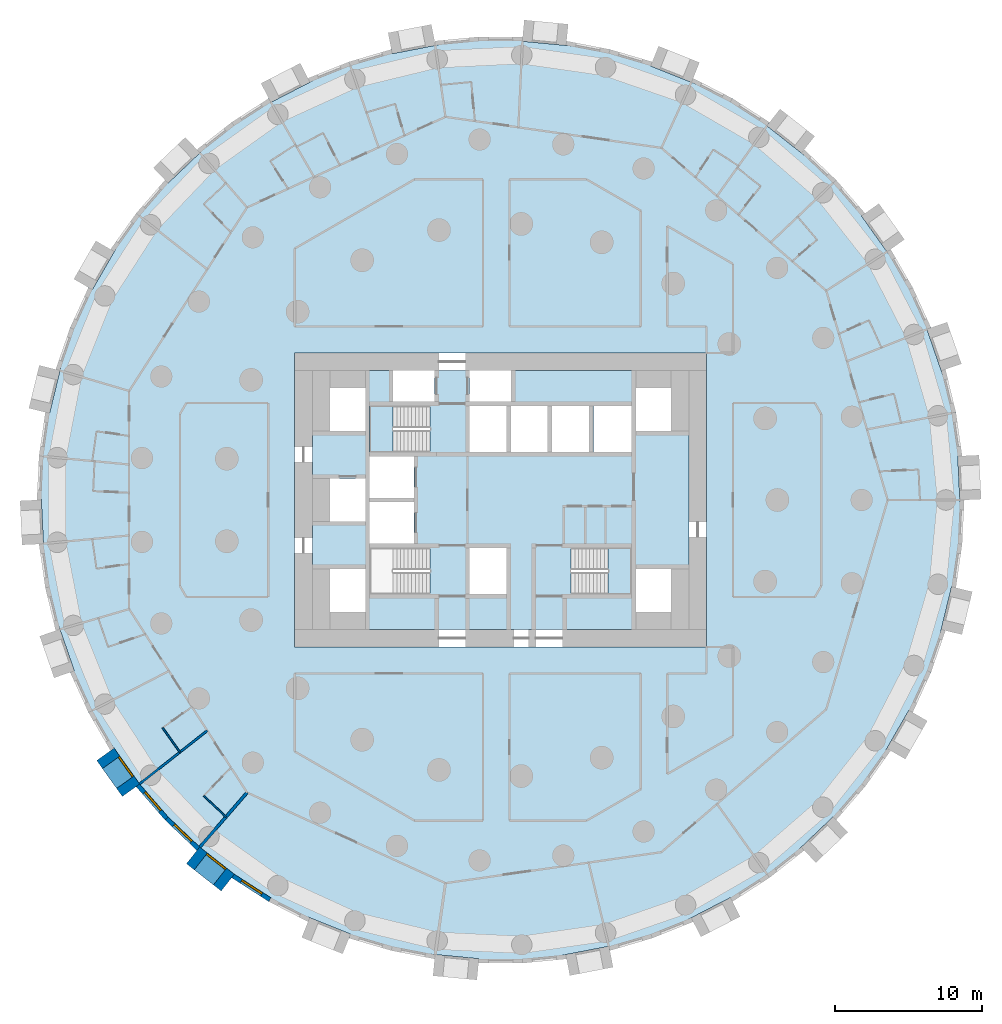
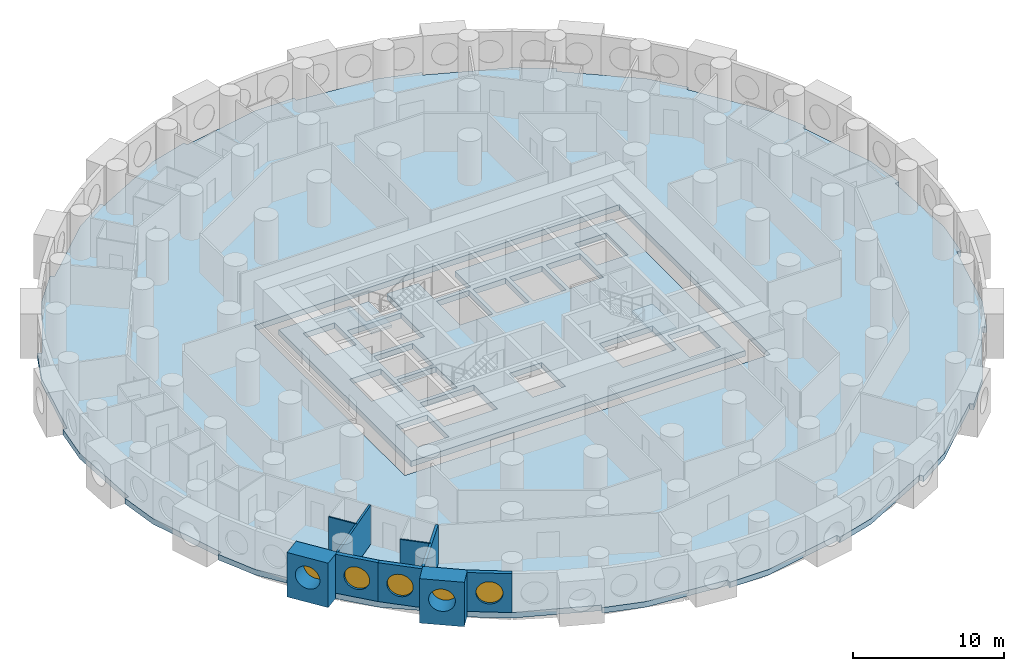
# One storey, part 2 of 12: 9 walls, 5 windows, 4 slabs, 5 openings, 2 elements without a shape of their own.
"""IFC4 building model written with IfcOpenShell, lengths in metres."""

from ifc_helpers import new_model, si_unit, direction, frame, frame_2d, origin, origin_2d, place, context, subcontext, project, spatial, polyline, rectangle, circle, outline, extrude, material, layer, layer_set, type_object, element, fill, aggregate, save


model = new_model("IFC4")

# Units and contexts
model_context = context("Model", 3, precision=1e-05, world=origin(), true_north=direction((0.0, 1.0)))
body_context = subcontext(model_context, "Body", "Model", "MODEL_VIEW")
ifc_project = project(units=[si_unit("LENGTHUNIT", "METRE"), si_unit("AREAUNIT", "SQUARE_METRE"), si_unit("VOLUMEUNIT", "CUBIC_METRE"), si_unit("PLANEANGLEUNIT", "RADIAN"), si_unit("MASSUNIT", "GRAM", prefix="KILO")], contexts=[model_context])

# Site, building, storey
site_placement = place(None, origin())
site = spatial("IfcSite", under=ifc_project, at=site_placement, CompositionType="ELEMENT")
building_placement = place(site_placement, origin())
building = spatial("IfcBuilding", under=site, at=building_placement, Name="Tracery Tower", CompositionType="ELEMENT")
storey_placement = place(building_placement, frame((0.0, 0.0, 31.800048828125)))
storey = spatial("IfcBuildingStorey", under=building, at=storey_placement, Name="L06", CompositionType="ELEMENT", Elevation=31.800048828125)

# Slabs
ifc_material_1 = material(Name="Concrete C60/75", Category="concrete")
ifc_layer_1 = layer(ifc_material_1, 0.449951171875)
ifc_layer_set_1 = layer_set([ifc_layer_1], Name="Core floor slab 450 C60")
slab_type_1 = type_object("IfcSlabType", Name="Core floor slab 450 C60", PredefinedType="FLOOR", material=ifc_layer_set_1)
slab_1_placement = place(storey_placement, frame((0.0, 0.0, -0.449951171875)))
element("IfcSlab", 1, at=slab_1_placement, inside=storey, type_object=slab_type_1, Name="L06 core floor 1", PredefinedType="FLOOR", context=body_context, shape_type="SweptSolid", body=[
    extrude(outline(polyline([(-12.800048828125, 8.800048828125), (-7.300048828125, 8.800048828125), (-7.300048828125, 6.699951171875), (-4.5, 6.699951171875), (-4.5, 8.800048828125), (-2.10009765625, 8.800048828125), (-2.10009765625, 6.699951171875), (0.699951171875, 6.699951171875), (0.699951171875, 8.800048828125), (12.800048828125, 8.800048828125), (12.800048828125, -8.800048828125), (-12.800048828125, -8.800048828125), (-12.800048828125, 8.800048828125)]), holes=[polyline([(11.60009765625, -7.60009765625), (11.60009765625, -4.699951171875), (9.199951171875, -4.699951171875), (9.199951171875, -7.60009765625), (11.60009765625, -7.60009765625)]), polyline([(11.60009765625, 4.699951171875), (11.60009765625, 7.60009765625), (9.199951171875, 7.60009765625), (9.199951171875, 4.699951171875), (11.60009765625, 4.699951171875)]), polyline([(4.800537109375, -3.25), (4.800537109375, -6.39990234375), (8.89990234375, -6.39990234375), (8.89990234375, -3.25), (4.800537109375, -3.25)]), polyline([(6.300048828125, 3.25), (8.89990234375, 3.25), (8.89990234375, 6.39990234375), (6.300048828125, 6.39990234375), (6.300048828125, 3.25)]), polyline([(3.5, 3.25), (6.0, 3.25), (6.0, 6.39990234375), (3.5, 6.39990234375), (3.5, 3.25)]), polyline([(3.199951171875, 3.25), (3.199951171875, 6.39990234375), (0.699951171875, 6.39990234375), (0.699951171875, 3.25), (3.199951171875, 3.25)]), polyline([(-2.10009765625, 3.25), (0.39990234375, 3.25), (0.39990234375, 6.39990234375), (-2.10009765625, 6.39990234375), (-2.10009765625, 3.25)]), polyline([(0.39990234375, -6.39990234375), (0.39990234375, -3.25), (-2.10009765625, -3.25), (-2.10009765625, -6.39990234375), (0.39990234375, -6.39990234375)]), polyline([(-4.800537109375, -3.25), (-8.89990234375, -3.25), (-8.89990234375, -6.39990234375), (-4.800537109375, -6.39990234375), (-4.800537109375, -3.25)]), polyline([(-4.800537109375, 6.39990234375), (-8.89990234375, 6.39990234375), (-8.89990234375, 3.25), (-4.800537109375, 3.25), (-4.800537109375, 6.39990234375)]), polyline([(-8.89990234375, -2.949951171875), (-5.89990234375, -2.949951171875), (-5.89990234375, -0.14990234375), (-8.89990234375, -0.14990234375), (-8.89990234375, -2.949951171875)]), polyline([(-5.89990234375, 0.14990234375), (-5.89990234375, 2.949951171875), (-8.89990234375, 2.949951171875), (-8.89990234375, 0.14990234375), (-5.89990234375, 0.14990234375)]), polyline([(-11.60009765625, 4.699951171875), (-9.199951171875, 4.699951171875), (-9.199951171875, 7.60009765625), (-11.60009765625, 7.60009765625), (-11.60009765625, 4.699951171875)]), polyline([(-9.199951171875, -7.60009765625), (-9.199951171875, -4.699951171875), (-11.60009765625, -4.699951171875), (-11.60009765625, -7.60009765625), (-9.199951171875, -7.60009765625)]), polyline([(-9.199951171875, -1.449951171875), (-9.199951171875, 1.449951171875), (-11.60009765625, 1.449951171875), (-11.60009765625, -1.449951171875), (-9.199951171875, -1.449951171875)])]), origin(), (0.0, 0.0, 1.0), 0.449951171875),
])
ifc_material_2 = material(Name="Concrete C50/60", Category="concrete")
ifc_layer_2 = layer(ifc_material_2, 0.449951171875)
ifc_layer_set_2 = layer_set([ifc_layer_2], Name="Floor slab 450")
slab_type_2 = type_object("IfcSlabType", Name="Floor slab 450", PredefinedType="FLOOR", material=ifc_layer_set_2)
slab_2_placement = place(storey_placement, frame((0.0, 0.0, -0.449951171875)))
element("IfcSlab", 2, at=slab_2_placement, inside=storey, type_object=slab_type_2, Name="Floor slab L06", PredefinedType="FLOOR", context=body_context, shape_type="SweptSolid", body=[
    extrude(outline(polyline([(29.964111328125, 8.783447265625), (29.964111328125, 8.783447265625), (28.98291015625, 11.618408203125), (29.266357421875, 11.716552734375), (28.020263671875, 14.4453125), (26.27587890625, 16.869384765625), (26.27587890625, 16.869384765625), (26.27001953125, 16.877685546875), (26.267578125, 16.881103515625), (24.81201171875, 18.9248046875), (24.53564453125, 19.313232421875), (24.780029296875, 19.4873046875), (22.8154296875, 21.75439453125), (20.458740234375, 23.5888671875), (20.458740234375, 23.5888671875), (20.4541015625, 23.592529296875), (20.447509765625, 23.59765625), (18.11181640625, 25.4345703125), (18.11181640625, 25.4345703125), (18.1005859375, 25.443359375), (18.2861328125, 25.67919921875), (15.76220703125, 27.301025390625), (12.984375, 28.397216796875), (12.984375, 28.397216796875), (10.19921875, 29.51220703125), (10.310791015625, 29.790771484375), (7.43212890625, 30.635986328125), (4.4580078125, 30.905029296875), (4.4580078125, 30.905029296875), (4.45166015625, 30.90576171875), (4.443603515625, 30.906494140625), (1.859375, 31.1533203125), (1.471435546875, 31.190185546875), (1.5, 31.489013671875), (1.5, 31.489013671875), (-1.5, 31.489013671875), (-4.4296875, 30.9091796875), (-4.4296875, 30.9091796875), (-4.4365234375, 30.90771484375), (-4.443603515625, 30.906494140625), (-7.114501953125, 30.3916015625), (-7.37548828125, 30.34130859375), (-7.43212890625, 30.635986328125), (-10.310791015625, 29.790771484375), (-12.95849609375, 28.4091796875), (-12.958251953125, 28.4091796875), (-13.0693359375, 28.351806640625), (-15.612060546875, 27.041015625), (-15.612060546875, 27.041015625), (-15.624755859375, 27.034423828125), (-15.76220703125, 27.301025390625), (-15.76220703125, 27.301025390625), (-18.2861328125, 25.67919921875), (-20.437255859375, 23.607666015625), (-20.437255859375, 23.607666015625), (-20.441162109375, 23.603759765625), (-20.447509765625, 23.59765625), (-21.854736328125, 22.256103515625), (-22.6083984375, 21.537353515625), (-22.8154296875, 21.75439453125), (-24.780029296875, 19.4873046875), (-26.260498046875, 16.8935546875), (-26.260498046875, 16.8935546875), (-26.265380859375, 16.884765625), (-26.267578125, 16.881103515625), (-27.753173828125, 14.307861328125), (-27.753173828125, 14.307861328125), (-27.760498046875, 14.29541015625), (-28.02001953125, 14.4453125), (-28.020263671875, 14.4453125), (-29.266357421875, 11.716552734375), (-29.956298828125, 8.810791015625), (-29.9560546875, 8.810791015625), (-30.6015625, 6.150390625), (-30.659912109375, 5.9091796875), (-30.659912109375, 5.9091796875), (-30.663330078125, 5.895263671875), (-30.954833984375, 5.966064453125), (-31.3818359375, 2.99658203125), (-31.22509765625, 0.014404296875), (-31.224853515625, 0.014404296875), (-31.082275390625, -2.982421875), (-31.3818359375, -2.99658203125), (-30.954833984375, -5.966064453125), (-29.964111328125, -8.783447265625), (-29.964111328125, -8.783447265625), (-28.98291015625, -11.618408203125), (-29.266357421875, -11.716552734375), (-28.020263671875, -14.4453125), (-26.27587890625, -16.869384765625), (-26.27587890625, -16.869384765625), (-26.27001953125, -16.877685546875), (-26.267578125, -16.881103515625), (-24.81201171875, -18.9248046875), (-24.53564453125, -19.313232421875), (-24.780029296875, -19.4873046875), (-22.8154296875, -21.75439453125), (-20.458740234375, -23.5888671875), (-20.458740234375, -23.5888671875), (-20.4541015625, -23.592529296875), (-20.447509765625, -23.59765625), (-18.11181640625, -25.4345703125), (-18.11181640625, -25.4345703125), (-18.1005859375, -25.443359375), (-18.2861328125, -25.67919921875), (-15.76220703125, -27.301025390625), (-12.984375, -28.397216796875), (-12.984375, -28.397216796875), (-10.19921875, -29.51220703125), (-10.310791015625, -29.790771484375), (-7.43212890625, -30.635986328125), (-4.4580078125, -30.905029296875), (-4.4580078125, -30.905029296875), (-4.45166015625, -30.90576171875), (-4.443603515625, -30.906494140625), (-1.859375, -31.1533203125), (-1.471435546875, -31.190185546875), (-1.5, -31.489013671875), (-1.5, -31.489013671875), (1.5, -31.489013671875), (4.4296875, -30.9091796875), (4.4296875, -30.9091796875), (4.4365234375, -30.90771484375), (4.443603515625, -30.906494140625), (7.114501953125, -30.3916015625), (7.37548828125, -30.34130859375), (7.43212890625, -30.635986328125), (10.310791015625, -29.790771484375), (12.95849609375, -28.4091796875), (12.958251953125, -28.4091796875), (13.0693359375, -28.351806640625), (15.612060546875, -27.041015625), (15.612060546875, -27.041015625), (15.624755859375, -27.034423828125), (15.76220703125, -27.301025390625), (15.76220703125, -27.301025390625), (18.2861328125, -25.67919921875), (20.437255859375, -23.607666015625), (20.437255859375, -23.607666015625), (20.441162109375, -23.603759765625), (20.447509765625, -23.59765625), (21.854736328125, -22.256103515625), (22.6083984375, -21.537353515625), (22.8154296875, -21.75439453125), (24.780029296875, -19.4873046875), (26.260498046875, -16.8935546875), (26.260498046875, -16.8935546875), (26.265380859375, -16.884765625), (26.267578125, -16.881103515625), (27.753173828125, -14.307861328125), (27.753173828125, -14.307861328125), (27.760498046875, -14.29541015625), (28.02001953125, -14.4453125), (28.020263671875, -14.4453125), (29.266357421875, -11.716552734375), (29.956298828125, -8.810791015625), (29.9560546875, -8.810791015625), (30.6015625, -6.150390625), (30.659912109375, -5.9091796875), (30.659912109375, -5.9091796875), (30.663330078125, -5.895263671875), (30.954833984375, -5.966064453125), (31.3818359375, -2.99658203125), (31.22509765625, -0.014404296875), (31.224853515625, -0.014404296875), (31.082275390625, 2.982421875), (31.3818359375, 2.99658203125), (30.954833984375, 5.966064453125), (29.964111328125, 8.783447265625)]), holes=[polyline([(-14.0, -10.0), (14.0, -10.0), (14.0, 10.0), (-14.0, 10.0), (-14.0, -10.0)])]), origin(), (0.0, 0.0, 1.0), 0.449951171875),
])

# Stair, slab
ifc_material_3 = material(Name="Concrete C32/40", Category="concrete")
stair_type = type_object("IfcStairType", Name="Core stair 22 risers", PredefinedType="HALF_TURN_STAIR", material=ifc_material_3)
stair_1_placement = place(storey_placement, origin())
stair_1 = element("IfcStair", 3, at=stair_1_placement, inside=storey, type_object=stair_type, Name="L06 stair ST3", PredefinedType="HALF_TURN_STAIR")
ifc_material_4 = material(Name="Concrete C32/40", Category="concrete")
ifc_layer_3 = layer(ifc_material_4, 0.199951171875)
ifc_layer_set_3 = layer_set([ifc_layer_3], Name="Stair landing slab 200")
slab_type_3 = type_object("IfcSlabType", Name="Stair landing slab 200", PredefinedType="LANDING", material=ifc_layer_set_3)
slab_3_placement = place(storey_placement, frame((0.0, 0.0, 1.599853515625)))
slab_3 = element("IfcSlab", 4, at=slab_3_placement, type_object=slab_type_3, Name="ST3 landing 1", PredefinedType="LANDING", context=body_context, shape_type="SweptSolid", body=[
    extrude(outline(polyline([(-7.29931640625, 6.39990234375), (-8.89990234375, 6.39990234375), (-8.89990234375, 3.25), (-7.29931640625, 3.25), (-7.29931640625, 6.39990234375)])), origin(), (0.0, 0.0, 1.0), 0.2001953125),
])
aggregate(stair_1, [slab_3])

stair_2_placement = place(storey_placement, origin())
stair_2 = element("IfcStair", 5, at=stair_2_placement, inside=storey, type_object=stair_type, Name="L06 stair ST2", PredefinedType="HALF_TURN_STAIR")
slab_4_placement = place(storey_placement, frame((0.0, 0.0, 1.599853515625)))
slab_4 = element("IfcSlab", 6, at=slab_4_placement, type_object=slab_type_3, Name="ST2 landing 1", PredefinedType="LANDING", context=body_context, shape_type="SweptSolid", body=[
    extrude(outline(polyline([(7.29931640625, -6.39990234375), (8.89990234375, -6.39990234375), (8.89990234375, -3.25), (7.29931640625, -3.25), (7.29931640625, -6.39990234375)])), origin(), (0.0, 0.0, 1.0), 0.2001953125),
])
aggregate(stair_2, [slab_4])

# Wall, opening, window
ifc_material_5 = material(Name="Precast concrete C50/60", Category="concrete")
ifc_layer_4 = layer(ifc_material_5, 1.449951171875)
ifc_layer_set_4 = layer_set([ifc_layer_4], Name="Deep-set bay unit 3000 x 3600, slab edge 450")
wall_type_1 = type_object("IfcWallType", Name="Deep-set bay unit 3000 x 3600, slab edge 450", PredefinedType="ELEMENTEDWALL", material=ifc_layer_set_4)
wall_1_placement = place(storey_placement, frame((-26.866455078125, -17.2900390625, -0.449951171875), z_axis=(0.0, 0.0, 1.0), x_axis=(0.580090570606, -0.814551981088, 0.0)))
wall_1 = element("IfcWall", 7, at=wall_1_placement, inside=storey, type_object=wall_type_1, Name="Deep-set bay unit 40 at L06", PredefinedType="ELEMENTEDWALL", context=body_context, shape_type="SweptSolid", body=[
    extrude(rectangle(XDim=3.0, YDim=1.449951171875, at=frame_2d((1.5, 0.0))), origin(), (0.0, 0.0, 1.0), 3.599853515625),
])
opening_1_placement = place(wall_1_placement, frame((1.5, 0.0, 2.0)))
opening_1 = element("IfcOpeningElement", 8, at=opening_1_placement, cuts=wall_1, Name="Opening WN1", PredefinedType="OPENING", context=body_context, shape_type="SweptSolid", body=[
    extrude(circle(Radius=0.9000244140625, at=origin_2d()), frame((0.0, 0.73486328125, 0.0), z_axis=(0.0, -1.0, 0.0), x_axis=(1.0, 0.0, 0.0)), (0.0, 0.0, 1.0), 1.469970703125),
])
ifc_material_6 = material(Name="Aluminium frame with tinted double glazing", Category="aluminium")
window_type = type_object("IfcWindowType", Name="Round window 1800", PartitioningType="SINGLE_PANEL", PredefinedType="WINDOW", material=ifc_material_6)
window_1_placement = place(opening_1_placement, origin())
window_1 = element("IfcWindow", 9, at=window_1_placement, inside=storey, type_object=window_type, Name="Round window 40 at L06", OverallHeight=1.800048828125, OverallWidth=1.800048828125, PartitioningType="SINGLE_PANEL", PredefinedType="WINDOW", context=body_context, shape_type="SweptSolid", body=[
    extrude(circle(Radius=0.9000244140625, at=origin_2d()), frame((0.0, 0.69482421875, 0.0), z_axis=(0.0, -1.0, 0.0), x_axis=(1.0, 0.0, 0.0)), (0.0, 0.0, 1.0), 0.10009765625),
])
fill(opening_1, window_1)

wall_2_placement = place(storey_placement, frame((-20.906982421875, -24.15869140625, -0.449951171875), z_axis=(0.0, 0.0, 1.0), x_axis=(0.786049992888, -0.618162930529, 0.0)))
wall_2 = element("IfcWall", 10, at=wall_2_placement, inside=storey, type_object=wall_type_1, Name="Deep-set bay unit 43 at L06", PredefinedType="ELEMENTEDWALL", context=body_context, shape_type="SweptSolid", body=[
    extrude(rectangle(XDim=3.0, YDim=1.449951171875, at=frame_2d((1.5, 0.0))), origin(), (0.0, 0.0, 1.0), 3.599853515625),
])
opening_2_placement = place(wall_2_placement, frame((1.5, 0.0, 2.0)))
opening_2 = element("IfcOpeningElement", 11, at=opening_2_placement, cuts=wall_2, Name="Opening WN1", PredefinedType="OPENING", context=body_context, shape_type="SweptSolid", body=[
    extrude(circle(Radius=0.9000244140625, at=origin_2d()), frame((0.0, 0.73486328125, 0.0), z_axis=(0.0, -1.0, 0.0), x_axis=(1.0, 0.0, 0.0)), (0.0, 0.0, 1.0), 1.469970703125),
])
window_2_placement = place(opening_2_placement, origin())
window_2 = element("IfcWindow", 12, at=window_2_placement, inside=storey, type_object=window_type, Name="Round window 43 at L06", OverallHeight=1.800048828125, OverallWidth=1.800048828125, PartitioningType="SINGLE_PANEL", PredefinedType="WINDOW", context=body_context, shape_type="SweptSolid", body=[
    extrude(circle(Radius=0.9000244140625, at=origin_2d()), frame((0.0, 0.69482421875, 0.0), z_axis=(0.0, -1.0, 0.0), x_axis=(1.0, 0.0, 0.0)), (0.0, 0.0, 1.0), 0.10009765625),
])
fill(opening_2, window_2)

ifc_material_7 = material(Name="Precast concrete C50/60", Category="concrete")
ifc_layer_5 = layer(ifc_material_7, 0.300048828125)
ifc_layer_set_5 = layer_set([ifc_layer_5], Name="Facade panel 3000 x 3150")
wall_type_2 = type_object("IfcWallType", Name="Facade panel 3000 x 3150", PredefinedType="SOLIDWALL", material=ifc_layer_set_5)
wall_3_placement = place(storey_placement, frame((-24.657958984375, -19.39892578125, 0.0), z_axis=(0.0, 0.0, 1.0), x_axis=(0.654830712471, -0.755775587066, 0.0)))
wall_3 = element("IfcWall", 13, at=wall_3_placement, inside=storey, type_object=wall_type_2, Name="Facade panel 41 at L06", PredefinedType="SOLIDWALL", context=body_context, shape_type="SweptSolid", body=[
    extrude(rectangle(XDim=2.979736328125, YDim=0.300048828125, at=frame_2d((1.48974609375, 0.0))), origin(), (0.0, 0.0, 1.0), 3.14990234375),
])
opening_3_placement = place(wall_3_placement, frame((1.48974609375, 0.0, 1.5498046875)))
opening_3 = element("IfcOpeningElement", 14, at=opening_3_placement, cuts=wall_3, Name="Opening WN1", PredefinedType="OPENING", context=body_context, shape_type="SweptSolid", body=[
    extrude(circle(Radius=0.9000244140625, at=origin_2d()), frame((0.0, 0.159912109375, 0.0), z_axis=(0.0, -1.0, 0.0), x_axis=(1.0, 0.0, 0.0)), (0.0, 0.0, 1.0), 0.320068359375),
])
window_3_placement = place(opening_3_placement, origin())
window_3 = element("IfcWindow", 15, at=window_3_placement, inside=storey, type_object=window_type, Name="Round window 41 at L06", OverallHeight=1.800048828125, OverallWidth=1.800048828125, PartitioningType="SINGLE_PANEL", PredefinedType="WINDOW", context=body_context, shape_type="SweptSolid", body=[
    extrude(circle(Radius=0.9000244140625, at=origin_2d()), frame((0.0, 0.1201171875, 0.0), z_axis=(0.0, -1.0, 0.0), x_axis=(1.0, 0.0, 0.0)), (0.0, 0.0, 1.0), 0.10009765625),
])
fill(opening_3, window_3)

wall_4_placement = place(storey_placement, frame((-22.706787109375, -21.65087890625, 0.0), z_axis=(0.0, 0.0, 1.0), x_axis=(0.723744206617, -0.690068346896, 0.0)))
wall_4 = element("IfcWall", 16, at=wall_4_placement, inside=storey, type_object=wall_type_2, Name="Facade panel 42 at L06", PredefinedType="SOLIDWALL", context=body_context, shape_type="SweptSolid", body=[
    extrude(rectangle(XDim=2.979736328125, YDim=0.300048828125, at=frame_2d((1.48974609375, 0.0))), origin(), (0.0, 0.0, 1.0), 3.14990234375),
])
opening_4_placement = place(wall_4_placement, frame((1.48974609375, 0.0, 1.5498046875)))
opening_4 = element("IfcOpeningElement", 17, at=opening_4_placement, cuts=wall_4, Name="Opening WN1", PredefinedType="OPENING", context=body_context, shape_type="SweptSolid", body=[
    extrude(circle(Radius=0.9000244140625, at=origin_2d()), frame((0.0, 0.159912109375, 0.0), z_axis=(0.0, -1.0, 0.0), x_axis=(1.0, 0.0, 0.0)), (0.0, 0.0, 1.0), 0.320068359375),
])
window_4_placement = place(opening_4_placement, origin())
window_4 = element("IfcWindow", 18, at=window_4_placement, inside=storey, type_object=window_type, Name="Round window 42 at L06", OverallHeight=1.800048828125, OverallWidth=1.800048828125, PartitioningType="SINGLE_PANEL", PredefinedType="WINDOW", context=body_context, shape_type="SweptSolid", body=[
    extrude(circle(Radius=0.9000244140625, at=origin_2d()), frame((0.0, 0.1201171875, 0.0), z_axis=(0.0, -1.0, 0.0), x_axis=(1.0, 0.0, 0.0)), (0.0, 0.0, 1.0), 0.10009765625),
])
fill(opening_4, window_4)

wall_5_placement = place(storey_placement, frame((-18.19384765625, -25.56005859375, 0.0), z_axis=(0.0, 0.0, 1.0), x_axis=(0.84122372879, -0.540687190639, 0.0)))
wall_5 = element("IfcWall", 19, at=wall_5_placement, inside=storey, type_object=wall_type_2, Name="Facade panel 44 at L06", PredefinedType="SOLIDWALL", context=body_context, shape_type="SweptSolid", body=[
    extrude(rectangle(XDim=2.979736328125, YDim=0.300048828125, at=frame_2d((1.48974609375, 0.0))), origin(), (0.0, 0.0, 1.0), 3.14990234375),
])
opening_5_placement = place(wall_5_placement, frame((1.48974609375, 0.0, 1.5498046875)))
opening_5 = element("IfcOpeningElement", 20, at=opening_5_placement, cuts=wall_5, Name="Opening WN1", PredefinedType="OPENING", context=body_context, shape_type="SweptSolid", body=[
    extrude(circle(Radius=0.9000244140625, at=origin_2d()), frame((0.0, 0.159912109375, 0.0), z_axis=(0.0, -1.0, 0.0), x_axis=(1.0, 0.0, 0.0)), (0.0, 0.0, 1.0), 0.320068359375),
])
window_5_placement = place(opening_5_placement, origin())
window_5 = element("IfcWindow", 21, at=window_5_placement, inside=storey, type_object=window_type, Name="Round window 44 at L06", OverallHeight=1.800048828125, OverallWidth=1.800048828125, PartitioningType="SINGLE_PANEL", PredefinedType="WINDOW", context=body_context, shape_type="SweptSolid", body=[
    extrude(circle(Radius=0.9000244140625, at=origin_2d()), frame((0.0, 0.1201171875, 0.0), z_axis=(0.0, -1.0, 0.0), x_axis=(1.0, 0.0, 0.0)), (0.0, 0.0, 1.0), 0.10009765625),
])
fill(opening_5, window_5)

# Walls
ifc_material_8 = material(Name="Plasterboard on steel studs", Category="steel")
ifc_layer_6 = layer(ifc_material_8, 0.10009765625)
ifc_layer_set_6 = layer_set([ifc_layer_6], Name="Partition 100 wet wall")
wall_type_3 = type_object("IfcWallType", Name="Partition 100 wet wall", PredefinedType="PARTITIONING", material=ifc_layer_set_6)
wall_6_placement = place(storey_placement, frame((-22.97802734375, -15.486083984375, 0.0), z_axis=(0.0, 0.0, 1.0), x_axis=(0.580283748447, -0.814414373208, 0.0)))
element("IfcWall", 22, at=wall_6_placement, inside=storey, type_object=wall_type_3, Name="Wet wall RA1-107", PredefinedType="PARTITIONING", context=body_context, shape_type="SweptSolid", body=[
    extrude(rectangle(XDim=2.033447265625, YDim=0.10009765625, at=frame_2d((1.0166015625, 0.0))), origin(), (0.0, 0.0, 1.0), 3.14990234375),
])
wall_7_placement = place(storey_placement, frame((-20.1689453125, -20.117919921875, 0.0), z_axis=(0.0, 0.0, 1.0), x_axis=(0.723537557066, -0.690285016145, 0.0)))
element("IfcWall", 23, at=wall_7_placement, inside=storey, type_object=wall_type_3, Name="Wet wall RA1-110", PredefinedType="PARTITIONING", context=body_context, shape_type="SweptSolid", body=[
    extrude(rectangle(XDim=2.070556640625, YDim=0.10009765625, at=frame_2d((1.03515625, 0.0))), origin(), (0.0, 0.0, 1.0), 3.14990234375),
])
ifc_material_9 = material(Name="Plasterboard on steel studs", Category="steel")
ifc_layer_7 = layer(ifc_material_9, 0.14990234375)
ifc_layer_set_7 = layer_set([ifc_layer_7], Name="Partition 150 acoustic unit wall")
wall_type_4 = type_object("IfcWallType", Name="Partition 150 acoustic unit wall", PredefinedType="PARTITIONING", material=ifc_layer_set_7)
wall_8_placement = place(storey_placement, frame((-24.5439453125, -19.302001953125, 0.0), z_axis=(0.0, 0.0, 1.0), x_axis=(0.78597832915, 0.618254046576, 0.0)))
element("IfcWall", 24, at=wall_8_placement, inside=storey, type_object=wall_type_4, Name="Unit wall RA1-108", PredefinedType="PARTITIONING", context=body_context, shape_type="SweptSolid", body=[
    extrude(rectangle(XDim=5.857421875, YDim=0.14990234375, at=frame_2d((2.9287109375, 0.0))), origin(), (0.0, 0.0, 1.0), 3.14990234375),
])
ifc_material_10 = material(Name="Plasterboard on steel studs", Category="steel")
ifc_layer_8 = layer(ifc_material_10, 0.199951171875)
ifc_layer_set_8 = layer_set([ifc_layer_8], Name="Partition 200 compartment wall")
wall_type_5 = type_object("IfcWallType", Name="Partition 200 compartment wall", PredefinedType="PARTITIONING", material=ifc_layer_set_8)
wall_9_placement = place(storey_placement, frame((-20.447998046875, -23.597900390625, 0.0), z_axis=(0.0, 0.0, 1.0), x_axis=(0.654847179409, 0.755761319214, 0.0)))
element("IfcWall", 25, at=wall_9_placement, inside=storey, type_object=wall_type_5, Name="Compartment wall RA1-111", PredefinedType="PARTITIONING", context=body_context, shape_type="SweptSolid", body=[
    extrude(rectangle(XDim=4.90625, YDim=0.199951171875, at=frame_2d((2.453125, 0.0))), origin(), (0.0, 0.0, 1.0), 3.14990234375),
])

save(model, "model.ifc")
